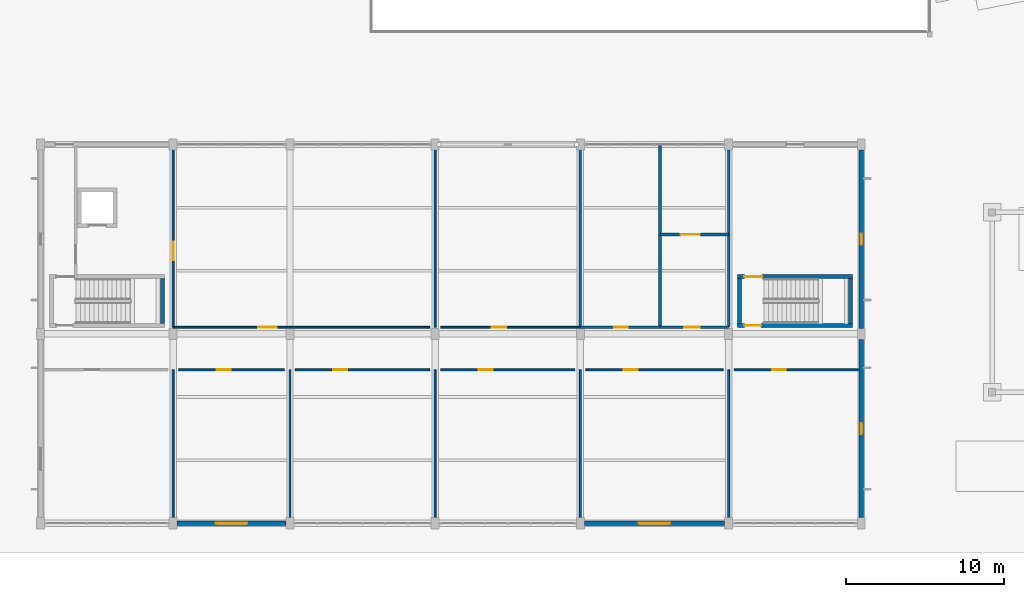
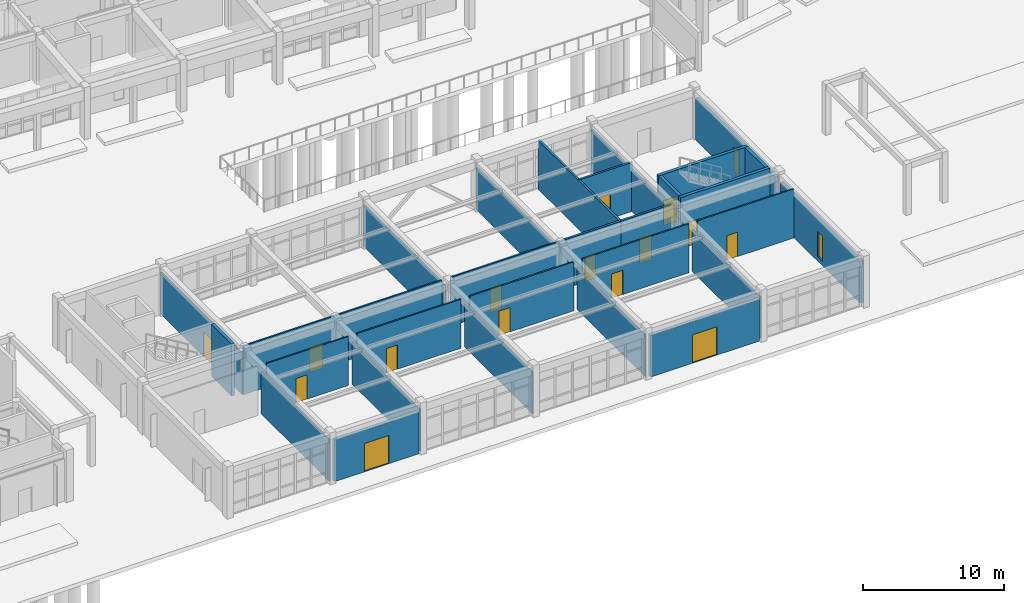
# One storey, part 120 of 154: 29 walls, 15 doors, 2 windows, 17 openings.
"""IFC4 building model written with IfcOpenShell, lengths in metres."""

from ifc_helpers import new_model, si_unit, direction, frame, frame_2d, origin, place, context, subcontext, project, spatial, rectangle, extrude, material, layer, layer_set, type_object, element, fill, save


model = new_model("IFC4")

# Units and contexts
model_context = context("Model", 3, precision=1e-05, world=origin(), true_north=direction((0.0, 1.0)))
body_context = subcontext(model_context, "Body", "Model", "MODEL_VIEW")
ifc_project = project(units=[si_unit("LENGTHUNIT", "METRE"), si_unit("AREAUNIT", "SQUARE_METRE"), si_unit("VOLUMEUNIT", "CUBIC_METRE"), si_unit("PLANEANGLEUNIT", "RADIAN"), si_unit("MASSUNIT", "GRAM", prefix="KILO")], contexts=[model_context])

# Site, building, storey
site_placement = place(None, origin())
site = spatial("IfcSite", under=ifc_project, at=site_placement, CompositionType="ELEMENT")
building_placement = place(site_placement, origin())
building = spatial("IfcBuilding", under=site, at=building_placement, Name="Kestramere Prow Commons", CompositionType="ELEMENT")
storey_placement = place(building_placement, origin())
storey = spatial("IfcBuildingStorey", under=building, at=storey_placement, Name="L00", CompositionType="ELEMENT", Elevation=0.0)

# Wall, opening, door
ifc_material_1 = material(Name="Precast concrete C40/50", Category="concrete")
ifc_layer_1 = layer(ifc_material_1, 0.280029296875)
ifc_layer_set_1 = layer_set([ifc_layer_1], Name="Precast concrete C40/50")
wall_type_1 = type_object("IfcWallType", Name="EW-CIVIC-280", PredefinedType="SOLIDWALL", material=ifc_layer_set_1)
wall_1_placement = place(storey_placement, frame((75.550048828125, 0.0, 0.0), z_axis=(0.0, 0.0, 1.0), x_axis=(-1.0, 0.0, 0.0)))
wall_1 = element("IfcWall", 1, at=wall_1_placement, inside=storey, type_object=wall_type_1, Name="Market South Portal Wall 2", PredefinedType="SOLIDWALL", context=body_context, shape_type="SweptSolid", body=[
    extrude(rectangle(XDim=6.900146484375, YDim=0.280029296875, at=frame_2d((3.4501953125, 0.0))), origin(), (0.0, 0.0, 1.0), 3.590087890625),
])
opening_1_placement = place(wall_1_placement, frame((2.449951171875, 0.0, 0.0)))
opening_1 = element("IfcOpeningElement", 2, at=opening_1_placement, cuts=wall_1, Name="Opening ED-06", PredefinedType="OPENING", context=body_context, shape_type="SweptSolid", body=[
    extrude(rectangle(XDim=2.0, YDim=2.449951171875, at=frame_2d((1.0, 1.22509765625))), frame((0.0, 0.155029296875, 0.0), z_axis=(0.0, -1.0, 0.0), x_axis=(1.0, 0.0, 0.0)), (0.0, 0.0, 1.0), 0.31005859375),
])
ifc_material_2 = material(Name="Thermally-Broken Anodised Aluminium Glazed", Category="aluminium")
door_type_1 = type_object("IfcDoorType", Name="ED-MKT-2000", OperationType="DOUBLE_DOOR_SINGLE_SWING", PredefinedType="DOOR", material=ifc_material_2)
door_1_placement = place(opening_1_placement, origin())
door_1 = element("IfcDoor", 3, at=door_1_placement, inside=storey, type_object=door_type_1, Name="Market Main Entrance 2", OperationType="DOUBLE_DOOR_SINGLE_SWING", OverallHeight=2.449951171875, OverallWidth=2.0, PredefinedType="DOOR", context=body_context, shape_type="SweptSolid", body=[
    extrude(rectangle(XDim=2.0, YDim=2.449951171875, at=frame_2d((1.0, 1.22509765625))), frame((0.0, 0.02490234375, 0.0), z_axis=(0.0, -1.0, 0.0), x_axis=(1.0, 0.0, 0.0)), (0.0, 0.0, 1.0), 0.050048828125),
])
fill(opening_1, door_1)

wall_2_placement = place(storey_placement, frame((103.35009765625, 0.0, 0.0), z_axis=(0.0, 0.0, 1.0), x_axis=(-1.0, 0.0, 0.0)))
wall_2 = element("IfcWall", 4, at=wall_2_placement, inside=storey, type_object=wall_type_1, Name="Market South Portal Wall 5", PredefinedType="SOLIDWALL", context=body_context, shape_type="SweptSolid", body=[
    extrude(rectangle(XDim=8.900146484375, YDim=0.280029296875, at=frame_2d((4.4501953125, 0.0))), origin(), (0.0, 0.0, 1.0), 3.590087890625),
])
opening_2_placement = place(wall_2_placement, frame((3.449951171875, 0.0, 0.0)))
opening_2 = element("IfcOpeningElement", 5, at=opening_2_placement, cuts=wall_2, Name="Opening ED-06", PredefinedType="OPENING", context=body_context, shape_type="SweptSolid", body=[
    extrude(rectangle(XDim=2.0, YDim=2.449951171875, at=frame_2d((1.0, 1.22509765625))), frame((0.0, 0.155029296875, 0.0), z_axis=(0.0, -1.0, 0.0), x_axis=(1.0, 0.0, 0.0)), (0.0, 0.0, 1.0), 0.31005859375),
])
door_2_placement = place(opening_2_placement, origin())
door_2 = element("IfcDoor", 6, at=door_2_placement, inside=storey, type_object=door_type_1, Name="Market Main Entrance 5", OperationType="DOUBLE_DOOR_SINGLE_SWING", OverallHeight=2.449951171875, OverallWidth=2.0, PredefinedType="DOOR", context=body_context, shape_type="SweptSolid", body=[
    extrude(rectangle(XDim=2.0, YDim=2.449951171875, at=frame_2d((1.0, 1.22509765625))), frame((0.0, 0.02490234375, 0.0), z_axis=(0.0, -1.0, 0.0), x_axis=(1.0, 0.0, 0.0)), (0.0, 0.0, 1.0), 0.050048828125),
])
fill(opening_2, door_2)

# Wall, opening, window
wall_3_placement = place(storey_placement, frame((112.0, 11.64990234375, 0.0), z_axis=(0.0, 0.0, 1.0), x_axis=(0.0, -1.0, 0.0)))
wall_3 = element("IfcWall", 7, at=wall_3_placement, inside=storey, type_object=wall_type_1, Name="Market L00 E End Wall 1", PredefinedType="SOLIDWALL", context=body_context, shape_type="SweptSolid", body=[
    extrude(rectangle(XDim=11.2998046875, YDim=0.280029296875, at=frame_2d((5.64990234375, 0.0))), origin(), (0.0, 0.0, 1.0), 3.590087890625),
])
opening_3_placement = place(wall_3_placement, frame((5.300048828125, 0.0, 0.419921875)))
opening_3 = element("IfcOpeningElement", 8, at=opening_3_placement, cuts=wall_3, Name="Opening WN-16", PredefinedType="OPENING", context=body_context, shape_type="SweptSolid", body=[
    extrude(rectangle(XDim=0.699951171875, YDim=2.139892578125, at=frame_2d((0.35009765625, 1.06982421875))), frame((0.0, 0.155029296875, 0.0), z_axis=(0.0, -1.0, 0.0), x_axis=(1.0, 0.0, 0.0)), (0.0, 0.0, 1.0), 0.31005859375),
])
ifc_material_3 = material(Name="Low-E Laminated Double Glazing", Category="glass")
window_type = type_object("IfcWindowType", Name="WN-CIV-700", PartitioningType="SINGLE_PANEL", PredefinedType="WINDOW", material=ifc_material_3)
window_1_placement = place(opening_3_placement, origin())
window_1 = element("IfcWindow", 9, at=window_1_placement, inside=storey, type_object=window_type, Name="WN-MK-L00-E-0", OverallHeight=2.139892578125, OverallWidth=0.699951171875, PartitioningType="SINGLE_PANEL", PredefinedType="WINDOW", context=body_context, shape_type="SweptSolid", body=[
    extrude(rectangle(XDim=0.699951171875, YDim=2.139892578125, at=frame_2d((0.35009765625, 1.06982421875))), frame((0.0, 0.030029296875, 0.0), z_axis=(0.0, -1.0, 0.0), x_axis=(1.0, 0.0, 0.0)), (0.0, 0.0, 1.0), 0.06005859375),
])
fill(opening_3, window_1)

wall_4_placement = place(storey_placement, frame((112.0, 23.64990234375, 0.0), z_axis=(0.0, 0.0, 1.0), x_axis=(0.0, -1.0, 0.0)))
wall_4 = element("IfcWall", 10, at=wall_4_placement, inside=storey, type_object=wall_type_1, Name="Market L00 E End Wall 2", PredefinedType="SOLIDWALL", context=body_context, shape_type="SweptSolid", body=[
    extrude(rectangle(XDim=11.2998046875, YDim=0.280029296875, at=frame_2d((5.64990234375, 0.0))), origin(), (0.0, 0.0, 1.0), 3.590087890625),
])
opening_4_placement = place(wall_4_placement, frame((5.300048828125, 0.0, 0.419921875)))
opening_4 = element("IfcOpeningElement", 11, at=opening_4_placement, cuts=wall_4, Name="Opening WN-16", PredefinedType="OPENING", context=body_context, shape_type="SweptSolid", body=[
    extrude(rectangle(XDim=0.699951171875, YDim=2.139892578125, at=frame_2d((0.35009765625, 1.06982421875))), frame((0.0, 0.155029296875, 0.0), z_axis=(0.0, -1.0, 0.0), x_axis=(1.0, 0.0, 0.0)), (0.0, 0.0, 1.0), 0.31005859375),
])
window_2_placement = place(opening_4_placement, origin())
window_2 = element("IfcWindow", 12, at=window_2_placement, inside=storey, type_object=window_type, Name="WN-MK-L00-E-1", OverallHeight=2.139892578125, OverallWidth=0.699951171875, PartitioningType="SINGLE_PANEL", PredefinedType="WINDOW", context=body_context, shape_type="SweptSolid", body=[
    extrude(rectangle(XDim=0.699951171875, YDim=2.139892578125, at=frame_2d((0.35009765625, 1.06982421875))), frame((0.0, 0.030029296875, 0.0), z_axis=(0.0, -1.0, 0.0), x_axis=(1.0, 0.0, 0.0)), (0.0, 0.0, 1.0), 0.06005859375),
])
fill(opening_4, window_2)

# Wall
ifc_material_4 = material(Name="Concrete C40/50", Category="concrete")
ifc_layer_2 = layer(ifc_material_4, 0.25)
ifc_layer_set_2 = layer_set([ifc_layer_2], Name="Concrete C40/50")
wall_type_2 = type_object("IfcWallType", Name="W-CORE-250", PredefinedType="SHEAR", material=ifc_layer_set_2)
wall_5_placement = place(storey_placement, frame((67.72509765625, 12.64990234375, 0.0), z_axis=(0.0, 0.0, 1.0), x_axis=(0.0, 1.0, 0.0)))
element("IfcWall", 13, at=wall_5_placement, inside=storey, type_object=wall_type_2, Name="SW-ST-M1-L00-F", PredefinedType="SHEAR", context=body_context, shape_type="SweptSolid", body=[
    extrude(rectangle(XDim=2.85009765625, YDim=0.25, at=frame_2d((1.425048828125, 0.0))), origin(), (0.0, 0.0, 1.0), 4.5),
])

# Wall, opening, door
wall_6_placement = place(storey_placement, frame((104.14990234375, 12.52490234375, 0.0), z_axis=(0.0, 0.0, 1.0), x_axis=(1.0, 0.0, 0.0)))
wall_6 = element("IfcWall", 14, at=wall_6_placement, inside=storey, type_object=wall_type_2, Name="SW-ST-M2-L00-L", PredefinedType="SHEAR", context=body_context, shape_type="SweptSolid", body=[
    extrude(rectangle(XDim=7.300048828125, YDim=0.25, at=frame_2d((3.64990234375, 0.0))), origin(), (0.0, 0.0, 1.0), 4.5),
])
opening_5_placement = place(wall_6_placement, frame((0.449951171875, 0.0, 0.0)))
opening_5 = element("IfcOpeningElement", 15, at=opening_5_placement, cuts=wall_6, Name="Opening ID-01", PredefinedType="OPENING", context=body_context, shape_type="SweptSolid", body=[
    extrude(rectangle(XDim=1.050048828125, YDim=2.14990234375, at=frame_2d((0.52490234375, 1.074951171875))), frame((0.0, 0.139892578125, 0.0), z_axis=(0.0, -1.0, 0.0), x_axis=(1.0, 0.0, 0.0)), (0.0, 0.0, 1.0), 0.280029296875),
])
ifc_material_5 = material(Name="Fire-Rated Timber and Steel Frame", Category="steel")
door_type_2 = type_object("IfcDoorType", Name="FD-ST-01", OperationType="NOTDEFINED", PredefinedType="DOOR", material=ifc_material_5)
door_3_placement = place(opening_5_placement, origin())
door_3 = element("IfcDoor", 16, at=door_3_placement, inside=storey, type_object=door_type_2, Name="ST-M2 L00 Protected Stair Door", OperationType="SINGLE_SWING_RIGHT", OverallHeight=2.14990234375, OverallWidth=1.050048828125, PredefinedType="DOOR", context=body_context, shape_type="SweptSolid", body=[
    extrude(rectangle(XDim=1.050048828125, YDim=2.14990234375, at=frame_2d((0.52490234375, 1.074951171875))), frame((0.0, 0.02490234375, 0.0), z_axis=(0.0, -1.0, 0.0), x_axis=(1.0, 0.0, 0.0)), (0.0, 0.0, 1.0), 0.050048828125),
])
fill(opening_5, door_3)

wall_7_placement = place(storey_placement, frame((104.14990234375, 15.625, 0.0), z_axis=(0.0, 0.0, 1.0), x_axis=(1.0, 0.0, 0.0)))
wall_7 = element("IfcWall", 17, at=wall_7_placement, inside=storey, type_object=wall_type_2, Name="SW-ST-M2-L00-R", PredefinedType="SHEAR", context=body_context, shape_type="SweptSolid", body=[
    extrude(rectangle(XDim=7.300048828125, YDim=0.25, at=frame_2d((3.64990234375, 0.0))), origin(), (0.0, 0.0, 1.0), 4.5),
])
opening_6_placement = place(wall_7_placement, frame((0.449951171875, 0.0, 0.0)))
opening_6 = element("IfcOpeningElement", 18, at=opening_6_placement, cuts=wall_7, Name="Opening ID-02", PredefinedType="OPENING", context=body_context, shape_type="SweptSolid", body=[
    extrude(rectangle(XDim=1.1201171875, YDim=2.14990234375, at=frame_2d((0.56005859375, 1.074951171875))), frame((0.0, 0.139892578125, 0.0), z_axis=(0.0, -1.0, 0.0), x_axis=(1.0, 0.0, 0.0)), (0.0, 0.0, 1.0), 0.280029296875),
])
door_type_3 = type_object("IfcDoorType", Name="FD-ST-02", OperationType="NOTDEFINED", PredefinedType="DOOR", material=ifc_material_5)
door_4_placement = place(opening_6_placement, origin())
door_4 = element("IfcDoor", 19, at=door_4_placement, inside=storey, type_object=door_type_3, Name="ST-M2 L00 Lobby/Exit Stair Door", OperationType="SINGLE_SWING_RIGHT", OverallHeight=2.14990234375, OverallWidth=1.1201171875, PredefinedType="DOOR", context=body_context, shape_type="SweptSolid", body=[
    extrude(rectangle(XDim=1.1201171875, YDim=2.14990234375, at=frame_2d((0.56005859375, 1.074951171875))), frame((0.0, 0.02490234375, 0.0), z_axis=(0.0, -1.0, 0.0), x_axis=(1.0, 0.0, 0.0)), (0.0, 0.0, 1.0), 0.050048828125),
])
fill(opening_6, door_4)

# Walls
for number, where, z_axis, x_axis, name in (
    (20, (104.27490234375, 12.64990234375, 0.0), (0.0, 0.0, 1.0), (0.0, 1.0, 0.0), "SW-ST-M2-L00-N"),
    (21, (111.324951171875, 12.64990234375, 0.0), (0.0, 0.0, 1.0), (0.0, 1.0, 0.0), "SW-ST-M2-L00-F"),
):
    element("IfcWall", number, at=place(storey_placement, frame(where, z_axis=z_axis, x_axis=x_axis)), inside=storey, type_object=wall_type_2, Name=name, PredefinedType="SHEAR", context=body_context, shape_type="SweptSolid", body=[
        extrude(rectangle(XDim=2.85009765625, YDim=0.25, at=frame_2d((1.425048828125, 0.0))), origin(), (0.0, 0.0, 1.0), 4.5),
    ])

# Wall, opening, door
ifc_material_6 = material(Name="Lightweight Blockwork and Plaster", Category="masonry")
ifc_layer_3 = layer(ifc_material_6, 0.1201171875)
ifc_layer_set_3 = layer_set([ifc_layer_3], Name="Lightweight Blockwork and Plaster")
wall_type_3 = type_object("IfcWallType", Name="W-PART-120", PredefinedType="PARTITIONING", material=ifc_layer_set_3)
wall_8_placement = place(storey_placement, frame((68.75, 9.719970703125, 0.0), z_axis=(0.0, 0.0, 1.0), x_axis=(1.0, 0.0, 0.0)))
wall_8 = element("IfcWall", 22, at=wall_8_placement, inside=storey, type_object=wall_type_3, Name="Interior Partition PW-MK-L00-CS-1", PredefinedType="PARTITIONING", context=body_context, shape_type="SweptSolid", body=[
    extrude(rectangle(XDim=6.699951171875, YDim=0.1201171875, at=frame_2d((3.35009765625, 0.0))), origin(), (0.0, 0.0, 1.0), 4.22998046875),
])
opening_7_placement = place(wall_8_placement, frame((2.39990234375, 0.0, 0.0)))
opening_7 = element("IfcOpeningElement", 23, at=opening_7_placement, cuts=wall_8, Name="Opening ID-08", PredefinedType="OPENING", context=body_context, shape_type="SweptSolid", body=[
    extrude(rectangle(XDim=0.89990234375, YDim=2.10009765625, at=frame_2d((0.449951171875, 1.050048828125))), frame((0.0, 0.074951171875, 0.0), z_axis=(0.0, -1.0, 0.0), x_axis=(1.0, 0.0, 0.0)), (0.0, 0.0, 1.0), 0.150146484375),
])
ifc_material_7 = material(Name="Engineered Timber Flush Door", Category="wood")
door_type_4 = type_object("IfcDoorType", Name="D-RM-01", OperationType="NOTDEFINED", PredefinedType="DOOR", material=ifc_material_7)
door_5_placement = place(opening_7_placement, origin())
door_5 = element("IfcDoor", 24, at=door_5_placement, inside=storey, type_object=door_type_4, Name="Interior Door DR-MK-L00-S-1", OperationType="SINGLE_SWING_RIGHT", OverallHeight=2.10009765625, OverallWidth=0.89990234375, PredefinedType="DOOR", context=body_context, shape_type="SweptSolid", body=[
    extrude(rectangle(XDim=0.89990234375, YDim=2.10009765625, at=frame_2d((0.449951171875, 1.050048828125))), frame((0.0, 0.02490234375, 0.0), z_axis=(0.0, -1.0, 0.0), x_axis=(1.0, 0.0, 0.0)), (0.0, 0.0, 1.0), 0.050048828125),
])
fill(opening_7, door_5)

wall_9_placement = place(storey_placement, frame((76.14990234375, 9.719970703125, 0.0), z_axis=(0.0, 0.0, 1.0), x_axis=(1.0, 0.0, 0.0)))
wall_9 = element("IfcWall", 25, at=wall_9_placement, inside=storey, type_object=wall_type_3, Name="Interior Partition PW-MK-L00-CS-2", PredefinedType="PARTITIONING", context=body_context, shape_type="SweptSolid", body=[
    extrude(rectangle(XDim=8.5, YDim=0.1201171875, at=frame_2d((4.25, 0.0))), origin(), (0.0, 0.0, 1.0), 4.22998046875),
])
opening_8_placement = place(wall_9_placement, frame((2.39990234375, 0.0, 0.0)))
opening_8 = element("IfcOpeningElement", 26, at=opening_8_placement, cuts=wall_9, Name="Opening ID-10", PredefinedType="OPENING", context=body_context, shape_type="SweptSolid", body=[
    extrude(rectangle(XDim=0.8798828125, YDim=2.10009765625, at=frame_2d((0.43994140625, 1.050048828125))), frame((0.0, 0.074951171875, 0.0), z_axis=(0.0, -1.0, 0.0), x_axis=(1.0, 0.0, 0.0)), (0.0, 0.0, 1.0), 0.150146484375),
])
ifc_material_8 = material(Name="Engineered Timber Bedroom Door", Category="wood")
door_type_5 = type_object("IfcDoorType", Name="D-RM-03", OperationType="NOTDEFINED", PredefinedType="DOOR", material=ifc_material_8)
door_6_placement = place(opening_8_placement, origin())
door_6 = element("IfcDoor", 27, at=door_6_placement, inside=storey, type_object=door_type_5, Name="Interior Door DR-MK-L00-S-2", OperationType="SINGLE_SWING_LEFT", OverallHeight=2.10009765625, OverallWidth=0.8798828125, PredefinedType="DOOR", context=body_context, shape_type="SweptSolid", body=[
    extrude(rectangle(XDim=0.8798828125, YDim=2.10009765625, at=frame_2d((0.43994140625, 1.050048828125))), frame((0.0, 0.02490234375, 0.0), z_axis=(0.0, -1.0, 0.0), x_axis=(1.0, 0.0, 0.0)), (0.0, 0.0, 1.0), 0.050048828125),
])
fill(opening_8, door_6)

wall_10_placement = place(storey_placement, frame((85.35009765625, 9.719970703125, 0.0), z_axis=(0.0, 0.0, 1.0), x_axis=(1.0, 0.0, 0.0)))
wall_10 = element("IfcWall", 28, at=wall_10_placement, inside=storey, type_object=wall_type_3, Name="Interior Partition PW-MK-L00-CS-3", PredefinedType="PARTITIONING", context=body_context, shape_type="SweptSolid", body=[
    extrude(rectangle(XDim=8.5, YDim=0.1201171875, at=frame_2d((4.25, 0.0))), origin(), (0.0, 0.0, 1.0), 4.22998046875),
])
opening_9_placement = place(wall_10_placement, frame((2.39990234375, 0.0, 0.0)))
opening_9 = element("IfcOpeningElement", 29, at=opening_9_placement, cuts=wall_10, Name="Opening ID-08", PredefinedType="OPENING", context=body_context, shape_type="SweptSolid", body=[
    extrude(rectangle(XDim=0.89990234375, YDim=2.10009765625, at=frame_2d((0.449951171875, 1.050048828125))), frame((0.0, 0.074951171875, 0.0), z_axis=(0.0, -1.0, 0.0), x_axis=(1.0, 0.0, 0.0)), (0.0, 0.0, 1.0), 0.150146484375),
])
door_7_placement = place(opening_9_placement, origin())
door_7 = element("IfcDoor", 30, at=door_7_placement, inside=storey, type_object=door_type_4, Name="Interior Door DR-MK-L00-S-3", OperationType="SINGLE_SWING_RIGHT", OverallHeight=2.10009765625, OverallWidth=0.89990234375, PredefinedType="DOOR", context=body_context, shape_type="SweptSolid", body=[
    extrude(rectangle(XDim=0.89990234375, YDim=2.10009765625, at=frame_2d((0.449951171875, 1.050048828125))), frame((0.0, 0.02490234375, 0.0), z_axis=(0.0, -1.0, 0.0), x_axis=(1.0, 0.0, 0.0)), (0.0, 0.0, 1.0), 0.050048828125),
])
fill(opening_9, door_7)

wall_11_placement = place(storey_placement, frame((94.550048828125, 9.719970703125, 0.0), z_axis=(0.0, 0.0, 1.0), x_axis=(1.0, 0.0, 0.0)))
wall_11 = element("IfcWall", 31, at=wall_11_placement, inside=storey, type_object=wall_type_3, Name="Interior Partition PW-MK-L00-CS-4", PredefinedType="PARTITIONING", context=body_context, shape_type="SweptSolid", body=[
    extrude(rectangle(XDim=8.699951171875, YDim=0.1201171875, at=frame_2d((4.35009765625, 0.0))), origin(), (0.0, 0.0, 1.0), 4.22998046875),
])
opening_10_placement = place(wall_11_placement, frame((2.39990234375, 0.0, 0.0)))
opening_10 = element("IfcOpeningElement", 32, at=opening_10_placement, cuts=wall_11, Name="Opening ID-08", PredefinedType="OPENING", context=body_context, shape_type="SweptSolid", body=[
    extrude(rectangle(XDim=0.89990234375, YDim=2.10009765625, at=frame_2d((0.449951171875, 1.050048828125))), frame((0.0, 0.074951171875, 0.0), z_axis=(0.0, -1.0, 0.0), x_axis=(1.0, 0.0, 0.0)), (0.0, 0.0, 1.0), 0.150146484375),
])
door_8_placement = place(opening_10_placement, origin())
door_8 = element("IfcDoor", 33, at=door_8_placement, inside=storey, type_object=door_type_4, Name="Interior Door DR-MK-L00-S-4", OperationType="SINGLE_SWING_LEFT", OverallHeight=2.10009765625, OverallWidth=0.89990234375, PredefinedType="DOOR", context=body_context, shape_type="SweptSolid", body=[
    extrude(rectangle(XDim=0.89990234375, YDim=2.10009765625, at=frame_2d((0.449951171875, 1.050048828125))), frame((0.0, 0.02490234375, 0.0), z_axis=(0.0, -1.0, 0.0), x_axis=(1.0, 0.0, 0.0)), (0.0, 0.0, 1.0), 0.050048828125),
])
fill(opening_10, door_8)

wall_12_placement = place(storey_placement, frame((103.949951171875, 9.719970703125, 0.0), z_axis=(0.0, 0.0, 1.0), x_axis=(1.0, 0.0, 0.0)))
wall_12 = element("IfcWall", 34, at=wall_12_placement, inside=storey, type_object=wall_type_3, Name="Interior Partition PW-MK-L00-CS-5", PredefinedType="PARTITIONING", context=body_context, shape_type="SweptSolid", body=[
    extrude(rectangle(XDim=7.900146484375, YDim=0.1201171875, at=frame_2d((3.9501953125, 0.0))), origin(), (0.0, 0.0, 1.0), 4.22998046875),
])
opening_11_placement = place(wall_12_placement, frame((2.39990234375, 0.0, 0.0)))
opening_11 = element("IfcOpeningElement", 35, at=opening_11_placement, cuts=wall_12, Name="Opening ID-10", PredefinedType="OPENING", context=body_context, shape_type="SweptSolid", body=[
    extrude(rectangle(XDim=0.8798828125, YDim=2.10009765625, at=frame_2d((0.43994140625, 1.050048828125))), frame((0.0, 0.074951171875, 0.0), z_axis=(0.0, -1.0, 0.0), x_axis=(1.0, 0.0, 0.0)), (0.0, 0.0, 1.0), 0.150146484375),
])
door_9_placement = place(opening_11_placement, origin())
door_9 = element("IfcDoor", 36, at=door_9_placement, inside=storey, type_object=door_type_5, Name="Interior Door DR-MK-L00-S-5", OperationType="SINGLE_SWING_RIGHT", OverallHeight=2.10009765625, OverallWidth=0.8798828125, PredefinedType="DOOR", context=body_context, shape_type="SweptSolid", body=[
    extrude(rectangle(XDim=0.8798828125, YDim=2.10009765625, at=frame_2d((0.43994140625, 1.050048828125))), frame((0.0, 0.02490234375, 0.0), z_axis=(0.0, -1.0, 0.0), x_axis=(1.0, 0.0, 0.0)), (0.0, 0.0, 1.0), 0.050048828125),
])
fill(opening_11, door_9)

# Walls
for number, where, z_axis, x_axis, name in (
    (37, (68.39990234375, 0.1201171875, 0.0), (0.0, 0.0, 1.0), (0.0, 1.0, 0.0), "Interior Partition PW-MK-L00-DV-84"),
    (38, (75.800048828125, 0.1201171875, 0.0), (0.0, 0.0, 1.0), (0.0, 1.0, 0.0), "Interior Partition PW-MK-L00-DV-158"),
    (39, (85.0, 0.1201171875, 0.0), (0.0, 0.0, 1.0), (0.0, 1.0, 0.0), "Interior Partition PW-MK-L00-DV-250"),
    (40, (94.199951171875, 0.1201171875, 0.0), (0.0, 0.0, 1.0), (0.0, 1.0, 0.0), "Interior Partition PW-MK-L00-DV-342"),
    (41, (103.60009765625, 0.1201171875, 0.0), (0.0, 0.0, 1.0), (0.0, 1.0, 0.0), "Interior Partition PW-MK-L00-DV-436"),
):
    element("IfcWall", number, at=place(storey_placement, frame(where, z_axis=z_axis, x_axis=x_axis)), inside=storey, type_object=wall_type_3, Name=name, PredefinedType="PARTITIONING", context=body_context, shape_type="SweptSolid", body=[
        extrude(rectangle(XDim=9.599853515625, YDim=0.1201171875, at=frame_2d((4.7998046875, 0.0))), origin(), (0.0, 0.0, 1.0), 3.60009765625),
    ])

# Wall, opening, door
wall_13_placement = place(storey_placement, frame((68.39990234375, 12.419921875, 0.0), z_axis=(0.0, 0.0, 1.0), x_axis=(1.0, 0.0, 0.0)))
wall_13 = element("IfcWall", 42, at=wall_13_placement, inside=storey, type_object=wall_type_3, Name="Interior Partition PW-MK-L00-CN-84", PredefinedType="PARTITIONING", context=body_context, shape_type="SweptSolid", body=[
    extrude(rectangle(XDim=16.25, YDim=0.1201171875, at=frame_2d((8.125, 0.0))), origin(), (0.0, 0.0, 1.0), 4.22998046875),
])
opening_12_placement = place(wall_13_placement, frame((5.39990234375, 0.0, 0.0)))
opening_12 = element("IfcOpeningElement", 43, at=opening_12_placement, cuts=wall_13, Name="Opening ID-09", PredefinedType="OPENING", context=body_context, shape_type="SweptSolid", body=[
    extrude(rectangle(XDim=1.14990234375, YDim=2.14990234375, at=frame_2d((0.574951171875, 1.074951171875))), frame((0.0, 0.074951171875, 0.0), z_axis=(0.0, -1.0, 0.0), x_axis=(1.0, 0.0, 0.0)), (0.0, 0.0, 1.0), 0.150146484375),
])
ifc_material_9 = material(Name="Engineered Timber Acoustic Door", Category="wood")
door_type_6 = type_object("IfcDoorType", Name="D-RM-02", OperationType="NOTDEFINED", PredefinedType="DOOR", material=ifc_material_9)
door_10_placement = place(opening_12_placement, origin())
door_10 = element("IfcDoor", 44, at=door_10_placement, inside=storey, type_object=door_type_6, Name="Interior Door DR-MK-L00-N1", OperationType="SINGLE_SWING_RIGHT", OverallHeight=2.14990234375, OverallWidth=1.14990234375, PredefinedType="DOOR", context=body_context, shape_type="SweptSolid", body=[
    extrude(rectangle(XDim=1.14990234375, YDim=2.14990234375, at=frame_2d((0.574951171875, 1.074951171875))), frame((0.0, 0.02490234375, 0.0), z_axis=(0.0, -1.0, 0.0), x_axis=(1.0, 0.0, 0.0)), (0.0, 0.0, 1.0), 0.050048828125),
])
fill(opening_12, door_10)

wall_14_placement = place(storey_placement, frame((85.35009765625, 12.419921875, 0.0), z_axis=(0.0, 0.0, 1.0), x_axis=(1.0, 0.0, 0.0)))
wall_14 = element("IfcWall", 45, at=wall_14_placement, inside=storey, type_object=wall_type_3, Name="Interior Partition PW-MK-L00-CN-253", PredefinedType="PARTITIONING", context=body_context, shape_type="SweptSolid", body=[
    extrude(rectangle(XDim=8.849853515625, YDim=0.1201171875, at=frame_2d((4.4248046875, 0.0))), origin(), (0.0, 0.0, 1.0), 4.22998046875),
])
opening_13_placement = place(wall_14_placement, frame((3.25, 0.0, 0.0)))
opening_13 = element("IfcOpeningElement", 46, at=opening_13_placement, cuts=wall_14, Name="Opening ID-08", PredefinedType="OPENING", context=body_context, shape_type="SweptSolid", body=[
    extrude(rectangle(XDim=0.89990234375, YDim=2.10009765625, at=frame_2d((0.449951171875, 1.050048828125))), frame((0.0, 0.074951171875, 0.0), z_axis=(0.0, -1.0, 0.0), x_axis=(1.0, 0.0, 0.0)), (0.0, 0.0, 1.0), 0.150146484375),
])
door_11_placement = place(opening_13_placement, origin())
door_11 = element("IfcDoor", 47, at=door_11_placement, inside=storey, type_object=door_type_4, Name="Interior Door DR-MK-L00-N2", OperationType="SINGLE_SWING_RIGHT", OverallHeight=2.10009765625, OverallWidth=0.89990234375, PredefinedType="DOOR", context=body_context, shape_type="SweptSolid", body=[
    extrude(rectangle(XDim=0.89990234375, YDim=2.10009765625, at=frame_2d((0.449951171875, 1.050048828125))), frame((0.0, 0.02490234375, 0.0), z_axis=(0.0, -1.0, 0.0), x_axis=(1.0, 0.0, 0.0)), (0.0, 0.0, 1.0), 0.050048828125),
])
fill(opening_13, door_11)

wall_15_placement = place(storey_placement, frame((68.39990234375, 12.419921875, 0.0), z_axis=(0.0, 0.0, 1.0), x_axis=(0.0, 1.0, 0.0)))
wall_15 = element("IfcWall", 48, at=wall_15_placement, inside=storey, type_object=wall_type_3, Name="Interior Partition PW-MK-L00-DN-84", PredefinedType="PARTITIONING", context=body_context, shape_type="SweptSolid", body=[
    extrude(rectangle(XDim=11.5400390625, YDim=0.1201171875, at=frame_2d((5.77001953125, 0.0))), origin(), (0.0, 0.0, 1.0), 3.60009765625),
])
opening_14_placement = place(wall_15_placement, frame((4.25, 0.0, 0.0)))
opening_14 = element("IfcOpeningElement", 49, at=opening_14_placement, cuts=wall_15, Name="Opening ID-03", PredefinedType="OPENING", context=body_context, shape_type="SweptSolid", body=[
    extrude(rectangle(XDim=1.179931640625, YDim=2.14990234375, at=frame_2d((0.58984375, 1.074951171875))), frame((0.0, 0.074951171875, 0.0), z_axis=(0.0, -1.0, 0.0), x_axis=(1.0, 0.0, 0.0)), (0.0, 0.0, 1.0), 0.150146484375),
])
ifc_material_10 = material(Name="Fire-Rated Glazed Smoke-Stop Door")
door_type_7 = type_object("IfcDoorType", Name="FD-LB-01", OperationType="NOTDEFINED", PredefinedType="DOOR", material=ifc_material_10)
door_12_placement = place(opening_14_placement, origin())
door_12 = element("IfcDoor", 50, at=door_12_placement, inside=storey, type_object=door_type_7, Name="Interior Door DR-MK-L00-LLOB", OperationType="SINGLE_SWING_LEFT", OverallHeight=2.14990234375, OverallWidth=1.179931640625, PredefinedType="DOOR", context=body_context, shape_type="SweptSolid", body=[
    extrude(rectangle(XDim=1.179931640625, YDim=2.14990234375, at=frame_2d((0.58984375, 1.074951171875))), frame((0.0, 0.02490234375, 0.0), z_axis=(0.0, -1.0, 0.0), x_axis=(1.0, 0.0, 0.0)), (0.0, 0.0, 1.0), 0.050048828125),
])
fill(opening_14, door_12)

# Wall
wall_16_placement = place(storey_placement, frame((85.0, 12.419921875, 0.0), z_axis=(0.0, 0.0, 1.0), x_axis=(0.0, 1.0, 0.0)))
element("IfcWall", 51, at=wall_16_placement, inside=storey, type_object=wall_type_3, Name="Interior Partition PW-MK-L00-DN-250", PredefinedType="PARTITIONING", context=body_context, shape_type="SweptSolid", body=[
    extrude(rectangle(XDim=11.5400390625, YDim=0.1201171875, at=frame_2d((5.77001953125, 0.0))), origin(), (0.0, 0.0, 1.0), 3.60009765625),
])

# Wall, opening, door
ifc_material_11 = material(Name="Waterproof Sanitary Masonry Wall", Category="masonry")
ifc_layer_4 = layer(ifc_material_11, 0.1650390625)
ifc_layer_set_4 = layer_set([ifc_layer_4], Name="Waterproof Sanitary Masonry Wall")
wall_type_4 = type_object("IfcWallType", Name="W-PLUMB-150", PredefinedType="PLUMBINGWALL", material=ifc_layer_set_4)
wall_17_placement = place(storey_placement, frame((94.199951171875, 12.419921875, 0.0), z_axis=(0.0, 0.0, 1.0), x_axis=(1.0, 0.0, 0.0)))
wall_17 = element("IfcWall", 52, at=wall_17_placement, inside=storey, type_object=wall_type_4, Name="Interior Partition PW-MK-L00-CN-342", PredefinedType="PLUMBINGWALL", context=body_context, shape_type="SweptSolid", body=[
    extrude(rectangle(XDim=5.050048828125, YDim=0.1650390625, at=frame_2d((2.52490234375, 0.0))), origin(), (0.0, 0.0, 1.0), 4.22998046875),
])
opening_15_placement = place(wall_17_placement, frame((2.14990234375, 0.0, 0.0)))
opening_15 = element("IfcOpeningElement", 53, at=opening_15_placement, cuts=wall_17, Name="Opening ID-12", PredefinedType="OPENING", context=body_context, shape_type="SweptSolid", body=[
    extrude(rectangle(XDim=0.860107421875, YDim=2.10009765625, at=frame_2d((0.43017578125, 1.050048828125))), frame((0.0, 0.097412109375, 0.0), z_axis=(0.0, -1.0, 0.0), x_axis=(1.0, 0.0, 0.0)), (0.0, 0.0, 1.0), 0.195068359375),
])
ifc_material_12 = material(Name="Moisture-Resistant Timber WC Door", Category="wood")
door_type_8 = type_object("IfcDoorType", Name="D-WC-01", OperationType="NOTDEFINED", PredefinedType="DOOR", material=ifc_material_12)
door_13_placement = place(opening_15_placement, origin())
door_13 = element("IfcDoor", 54, at=door_13_placement, inside=storey, type_object=door_type_8, Name="Interior Door DR-MK-L00-PWC", OperationType="SINGLE_SWING_RIGHT", OverallHeight=2.10009765625, OverallWidth=0.860107421875, PredefinedType="DOOR", context=body_context, shape_type="SweptSolid", body=[
    extrude(rectangle(XDim=0.860107421875, YDim=2.10009765625, at=frame_2d((0.43017578125, 1.050048828125))), frame((0.0, 0.02490234375, 0.0), z_axis=(0.0, -1.0, 0.0), x_axis=(1.0, 0.0, 0.0)), (0.0, 0.0, 1.0), 0.050048828125),
])
fill(opening_15, door_13)

wall_18_placement = place(storey_placement, frame((99.25, 12.419921875, 0.0), z_axis=(0.0, 0.0, 1.0), x_axis=(1.0, 0.0, 0.0)))
wall_18 = element("IfcWall", 55, at=wall_18_placement, inside=storey, type_object=wall_type_4, Name="Interior Partition PW-MK-L00-CN-392", PredefinedType="PLUMBINGWALL", context=body_context, shape_type="SweptSolid", body=[
    extrude(rectangle(XDim=4.35009765625, YDim=0.1650390625, at=frame_2d((2.175048828125, 0.0))), origin(), (0.0, 0.0, 1.0), 4.22998046875),
])
opening_16_placement = place(wall_18_placement, frame((1.550048828125, 0.0, 0.0)))
opening_16 = element("IfcOpeningElement", 56, at=opening_16_placement, cuts=wall_18, Name="Opening ID-13", PredefinedType="OPENING", context=body_context, shape_type="SweptSolid", body=[
    extrude(rectangle(XDim=0.9599609375, YDim=2.1201171875, at=frame_2d((0.47998046875, 1.06005859375))), frame((0.0, 0.097412109375, 0.0), z_axis=(0.0, -1.0, 0.0), x_axis=(1.0, 0.0, 0.0)), (0.0, 0.0, 1.0), 0.195068359375),
])
ifc_material_13 = material(Name="Accessible Wide-Leaf Timber Door", Category="wood")
door_type_9 = type_object("IfcDoorType", Name="D-ACC-01", OperationType="NOTDEFINED", PredefinedType="DOOR", material=ifc_material_13)
door_14_placement = place(opening_16_placement, origin())
door_14 = element("IfcDoor", 57, at=door_14_placement, inside=storey, type_object=door_type_9, Name="Interior Door DR-MK-L00-AWC", OperationType="SINGLE_SWING_RIGHT", OverallHeight=2.1201171875, OverallWidth=0.9599609375, PredefinedType="DOOR", context=body_context, shape_type="SweptSolid", body=[
    extrude(rectangle(XDim=0.9599609375, YDim=2.1201171875, at=frame_2d((0.47998046875, 1.06005859375))), frame((0.0, 0.02490234375, 0.0), z_axis=(0.0, -1.0, 0.0), x_axis=(1.0, 0.0, 0.0)), (0.0, 0.0, 1.0), 0.050048828125),
])
fill(opening_16, door_14)

wall_19_placement = place(storey_placement, frame((99.25, 18.300048828125, 0.0), z_axis=(0.0, 0.0, 1.0), x_axis=(1.0, 0.0, 0.0)))
wall_19 = element("IfcWall", 58, at=wall_19_placement, inside=storey, type_object=wall_type_4, Name="Interior Partition PW-MK-L00-RC-HZ", PredefinedType="PLUMBINGWALL", context=body_context, shape_type="SweptSolid", body=[
    extrude(rectangle(XDim=4.35009765625, YDim=0.1650390625, at=frame_2d((2.175048828125, 0.0))), origin(), (0.0, 0.0, 1.0), 4.22998046875),
])
opening_17_placement = place(wall_19_placement, frame((1.300048828125, 0.0, 0.0)))
opening_17 = element("IfcOpeningElement", 59, at=opening_17_placement, cuts=wall_19, Name="Opening ID-07", PredefinedType="OPENING", context=body_context, shape_type="SweptSolid", body=[
    extrude(rectangle(XDim=1.219970703125, YDim=2.14990234375, at=frame_2d((0.60986328125, 1.074951171875))), frame((0.0, 0.097412109375, 0.0), z_axis=(0.0, -1.0, 0.0), x_axis=(1.0, 0.0, 0.0)), (0.0, 0.0, 1.0), 0.195068359375),
])
ifc_material_14 = material(Name="Galvanised Steel S275JR Plant Room Door", Category="steel")
door_type_10 = type_object("IfcDoorType", Name="FD-PL-01", OperationType="NOTDEFINED", PredefinedType="DOOR", material=ifc_material_14)
door_15_placement = place(opening_17_placement, origin())
door_15 = element("IfcDoor", 60, at=door_15_placement, inside=storey, type_object=door_type_10, Name="Interior Door DR-MK-L00-BIN", OperationType="SINGLE_SWING_LEFT", OverallHeight=2.14990234375, OverallWidth=1.219970703125, PredefinedType="DOOR", context=body_context, shape_type="SweptSolid", body=[
    extrude(rectangle(XDim=1.219970703125, YDim=2.14990234375, at=frame_2d((0.60986328125, 1.074951171875))), frame((0.0, 0.02490234375, 0.0), z_axis=(0.0, -1.0, 0.0), x_axis=(1.0, 0.0, 0.0)), (0.0, 0.0, 1.0), 0.050048828125),
])
fill(opening_17, door_15)

# Walls
wall_20_placement = place(storey_placement, frame((94.199951171875, 12.419921875, 0.0), z_axis=(0.0, 0.0, 1.0), x_axis=(0.0, 1.0, 0.0)))
element("IfcWall", 61, at=wall_20_placement, inside=storey, type_object=wall_type_4, Name="Interior Partition PW-MK-L00-DN-342", PredefinedType="PLUMBINGWALL", context=body_context, shape_type="SweptSolid", body=[
    extrude(rectangle(XDim=11.5400390625, YDim=0.1650390625, at=frame_2d((5.77001953125, 0.0))), origin(), (0.0, 0.0, 1.0), 3.60009765625),
])
wall_21_placement = place(storey_placement, frame((99.25, 12.419921875, 0.0), z_axis=(0.0, 0.0, 1.0), x_axis=(0.0, 1.0, 0.0)))
element("IfcWall", 62, at=wall_21_placement, inside=storey, type_object=wall_type_4, Name="Interior Partition PW-MK-L00-DN-392", PredefinedType="PLUMBINGWALL", context=body_context, shape_type="SweptSolid", body=[
    extrude(rectangle(XDim=11.5400390625, YDim=0.1650390625, at=frame_2d((5.77001953125, 0.0))), origin(), (0.0, 0.0, 1.0), 4.22998046875),
])
wall_22_placement = place(storey_placement, frame((103.60009765625, 12.419921875, 0.0), z_axis=(0.0, 0.0, 1.0), x_axis=(0.0, 1.0, 0.0)))
element("IfcWall", 63, at=wall_22_placement, inside=storey, type_object=wall_type_4, Name="Interior Partition PW-MK-L00-DN-436", PredefinedType="PLUMBINGWALL", context=body_context, shape_type="SweptSolid", body=[
    extrude(rectangle(XDim=11.5400390625, YDim=0.1650390625, at=frame_2d((5.77001953125, 0.0))), origin(), (0.0, 0.0, 1.0), 3.60009765625),
])

save(model, "model.ifc")
